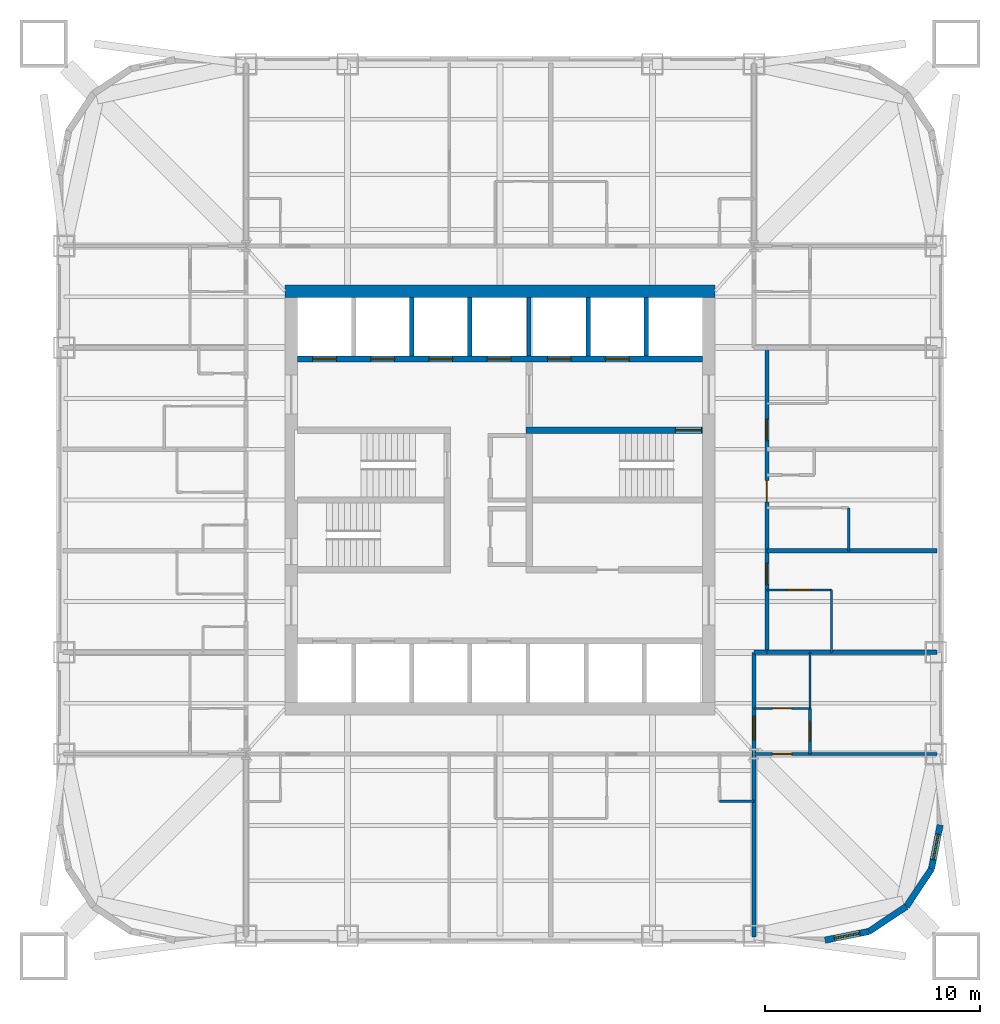
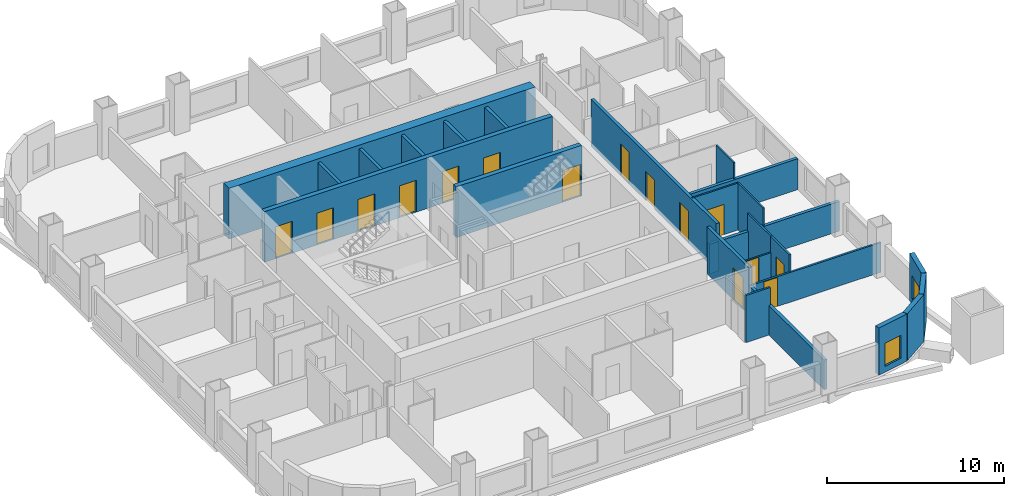
# One storey, part 5 of 8: 26 walls, 15 doors, 2 windows, 17 openings.
"""IFC4 building model written with IfcOpenShell, lengths in metres."""

from ifc_helpers import new_model, si_unit, direction, frame, frame_2d, origin, place, context, subcontext, project, spatial, rectangle, extrude, material, layer, layer_set, type_object, element, fill, save


model = new_model("IFC4")

# Units and contexts
model_context = context("Model", 3, precision=1e-05, world=origin(), true_north=direction((0.0, 1.0)))
body_context = subcontext(model_context, "Body", "Model", "MODEL_VIEW")
ifc_project = project(units=[si_unit("LENGTHUNIT", "METRE"), si_unit("AREAUNIT", "SQUARE_METRE"), si_unit("VOLUMEUNIT", "CUBIC_METRE"), si_unit("PLANEANGLEUNIT", "RADIAN"), si_unit("MASSUNIT", "GRAM", prefix="KILO")], contexts=[model_context])

# Site, building, storey
site_placement = place(None, origin())
site = spatial("IfcSite", under=ifc_project, at=site_placement, CompositionType="ELEMENT")
building_placement = place(site_placement, origin())
building = spatial("IfcBuilding", under=site, at=building_placement, Name="Turquesa Mirador Hotel Tower", CompositionType="ELEMENT")
storey_placement = place(building_placement, frame((0.0, 0.0, 152.89990234375)))
storey = spatial("IfcBuildingStorey", under=building, at=storey_placement, Name="L41", CompositionType="ELEMENT", Elevation=152.89990234375)

# Wall, opening, door
ifc_material_1 = material(Name="Gypsum board on steel studs", Category="steel")
ifc_layer_1 = layer(ifc_material_1, 0.10009765625)
ifc_layer_set_1 = layer_set([ifc_layer_1], Name="BATHROOM WALL 100")
wall_type_1 = type_object("IfcWallType", Name="BATHROOM WALL 100", PredefinedType="PARTITIONING", material=ifc_layer_set_1)
wall_1_placement = place(storey_placement, frame((67.39990234375, 40.820068359375, 0.0), z_axis=(0.0, 0.0, 1.0), x_axis=(1.0, 0.0, 0.0)))
wall_1 = element("IfcWall", 1, at=wall_1_placement, inside=storey, type_object=wall_type_1, Name="Partition L41 011", PredefinedType="PARTITIONING", context=body_context, shape_type="SweptSolid", body=[
    extrude(rectangle(XDim=3.0, YDim=0.10009765625, at=frame_2d((1.5, 0.0))), origin(), (0.0, 0.0, 1.0), 3.25),
])
opening_1_placement = place(wall_1_placement, frame((0.949951171875, 0.0, 0.0)))
opening_1 = element("IfcOpeningElement", 2, at=opening_1_placement, cuts=wall_1, Name="Opening D16", PredefinedType="OPENING", context=body_context, shape_type="SweptSolid", body=[
    extrude(rectangle(XDim=1.10009765625, YDim=2.10009765625, at=frame_2d((0.550048828125, 1.050048828125))), frame((0.0, 0.06005859375, 0.0), z_axis=(0.0, -1.0, 0.0), x_axis=(1.0, 0.0, 0.0)), (0.0, 0.0, 1.0), 0.1201171875),
])
ifc_material_2 = material(Name="Timber veneered sliding door", Category="wood")
door_type_1 = type_object("IfcDoorType", Name="DOOR 1100X2100 ACCESSIBLE EN-SUITE", OperationType="SLIDING_TO_LEFT", PredefinedType="DOOR", material=ifc_material_2)
door_1_placement = place(opening_1_placement, origin())
door_1 = element("IfcDoor", 3, at=door_1_placement, inside=storey, type_object=door_type_1, Name="Door 4105B", OperationType="SLIDING_TO_LEFT", OverallHeight=2.10009765625, OverallWidth=1.10009765625, PredefinedType="DOOR", context=body_context, shape_type="SweptSolid", body=[
    extrude(rectangle(XDim=1.10009765625, YDim=2.10009765625, at=frame_2d((0.550048828125, 1.050048828125))), frame((0.0, 0.02490234375, 0.0), z_axis=(0.0, -1.0, 0.0), x_axis=(1.0, 0.0, 0.0)), (0.0, 0.0, 1.0), 0.050048828125),
])
fill(opening_1, door_1)

wall_2_placement = place(storey_placement, frame((66.800048828125, 35.320068359375, 0.0), z_axis=(0.0, 0.0, 1.0), x_axis=(1.0, 0.0, 0.0)))
wall_2 = element("IfcWall", 4, at=wall_2_placement, inside=storey, type_object=wall_type_1, Name="Partition L41 018", PredefinedType="PARTITIONING", context=body_context, shape_type="SweptSolid", body=[
    extrude(rectangle(XDim=2.599853515625, YDim=0.10009765625, at=frame_2d((1.2998046875, 0.0))), origin(), (0.0, 0.0, 1.0), 2.132568359375),
])
opening_2_placement = place(wall_2_placement, frame((0.85009765625, 0.0, 0.0)))
opening_2 = element("IfcOpeningElement", 5, at=opening_2_placement, cuts=wall_2, Name="Opening D02", PredefinedType="OPENING", context=body_context, shape_type="SweptSolid", body=[
    extrude(rectangle(XDim=0.89990234375, YDim=2.10009765625, at=frame_2d((0.449951171875, 1.050048828125))), frame((0.0, 0.06005859375, 0.0), z_axis=(0.0, -1.0, 0.0), x_axis=(1.0, 0.0, 0.0)), (0.0, 0.0, 1.0), 0.1201171875),
])
ifc_material_3 = material(Name="Timber veneered door", Category="wood")
door_type_2 = type_object("IfcDoorType", Name="DOOR 900X2100 EN-SUITE", OperationType="SINGLE_SWING_RIGHT", PredefinedType="DOOR", material=ifc_material_3)
door_2_placement = place(opening_2_placement, origin())
door_2 = element("IfcDoor", 6, at=door_2_placement, inside=storey, type_object=door_type_2, Name="Door 4114B", OperationType="SINGLE_SWING_RIGHT", OverallHeight=2.10009765625, OverallWidth=0.89990234375, PredefinedType="DOOR", context=body_context, shape_type="SweptSolid", body=[
    extrude(rectangle(XDim=0.89990234375, YDim=2.10009765625, at=frame_2d((0.449951171875, 1.050048828125))), frame((0.0, 0.02490234375, 0.0), z_axis=(0.0, -1.0, 0.0), x_axis=(1.0, 0.0, 0.0)), (0.0, 0.0, 1.0), 0.050048828125),
])
fill(opening_2, door_2)

# Walls
wall_3_placement = place(storey_placement, frame((69.39990234375, 35.320068359375, 0.0), z_axis=(0.0, 0.0, 1.0), x_axis=(0.0, 1.0, 0.0)))
element("IfcWall", 7, at=wall_3_placement, inside=storey, type_object=wall_type_1, Name="Partition L41 063", PredefinedType="PARTITIONING", context=body_context, shape_type="SweptSolid", body=[
    extrude(rectangle(XDim=2.599853515625, YDim=0.10009765625, at=frame_2d((1.2998046875, 0.0))), origin(), (0.0, 0.0, 1.0), 3.25),
])
wall_4_placement = place(storey_placement, frame((70.39990234375, 37.919921875, 0.0), z_axis=(0.0, 0.0, 1.0), x_axis=(0.0, 1.0, 0.0)))
element("IfcWall", 8, at=wall_4_placement, inside=storey, type_object=wall_type_1, Name="Partition L41 069", PredefinedType="PARTITIONING", context=body_context, shape_type="SweptSolid", body=[
    extrude(rectangle(XDim=2.900146484375, YDim=0.10009765625, at=frame_2d((1.4501953125, 0.0))), origin(), (0.0, 0.0, 1.0), 3.25),
])
wall_5_placement = place(storey_placement, frame((71.199951171875, 42.639892578125, 0.0), z_axis=(0.0, 0.0, 1.0), x_axis=(0.0, 1.0, 0.0)))
element("IfcWall", 9, at=wall_5_placement, inside=storey, type_object=wall_type_1, Name="Partition L41 070", PredefinedType="PARTITIONING", context=body_context, shape_type="SweptSolid", body=[
    extrude(rectangle(XDim=2.0, YDim=0.10009765625, at=frame_2d((1.0, 0.0))), origin(), (0.0, 0.0, 1.0), 3.25),
])

# Wall, openings, doors
ifc_material_4 = material(Name="Concrete C50/60", Category="concrete")
ifc_layer_2 = layer(ifc_material_4, 0.300048828125)
ifc_layer_set_2 = layer_set([ifc_layer_2], Name="CORE INNER WALL 300")
wall_type_2 = type_object("IfcWallType", Name="CORE INNER WALL 300", PredefinedType="SHEAR", material=ifc_layer_set_2)
wall_6_placement = place(storey_placement, frame((45.60009765625, 51.550048828125, 0.0), z_axis=(0.0, 0.0, 1.0), x_axis=(1.0, 0.0, 0.0)))
wall_6 = element("IfcWall", 10, at=wall_6_placement, inside=storey, type_object=wall_type_2, Name="Core wall NL", PredefinedType="SHEAR", context=body_context, shape_type="SweptSolid", body=[
    extrude(rectangle(XDim=18.7998046875, YDim=0.300048828125, at=frame_2d((9.39990234375, 0.0))), origin(), (0.0, 0.0, 1.0), 3.5),
])
opening_3_placement = place(wall_6_placement, frame((0.699951171875, 0.0, 0.0)))
opening_3 = element("IfcOpeningElement", 11, at=opening_3_placement, cuts=wall_6, Name="Opening LD", PredefinedType="OPENING", context=body_context, shape_type="SweptSolid", body=[
    extrude(rectangle(XDim=1.10009765625, YDim=2.199951171875, at=frame_2d((0.550048828125, 1.10009765625))), frame((0.0, 0.159912109375, 0.0), z_axis=(0.0, -1.0, 0.0), x_axis=(1.0, 0.0, 0.0)), (0.0, 0.0, 1.0), 0.320068359375),
])
opening_4_placement = place(wall_6_placement, frame((3.39990234375, 0.0, 0.0)))
opening_4 = element("IfcOpeningElement", 12, at=opening_4_placement, cuts=wall_6, Name="Opening LD", PredefinedType="OPENING", context=body_context, shape_type="SweptSolid", body=[
    extrude(rectangle(XDim=1.10009765625, YDim=2.199951171875, at=frame_2d((0.550048828125, 1.10009765625))), frame((0.0, 0.159912109375, 0.0), z_axis=(0.0, -1.0, 0.0), x_axis=(1.0, 0.0, 0.0)), (0.0, 0.0, 1.0), 0.320068359375),
])
opening_5_placement = place(wall_6_placement, frame((6.10009765625, 0.0, 0.0)))
opening_5 = element("IfcOpeningElement", 13, at=opening_5_placement, cuts=wall_6, Name="Opening LD", PredefinedType="OPENING", context=body_context, shape_type="SweptSolid", body=[
    extrude(rectangle(XDim=1.10009765625, YDim=2.199951171875, at=frame_2d((0.550048828125, 1.10009765625))), frame((0.0, 0.159912109375, 0.0), z_axis=(0.0, -1.0, 0.0), x_axis=(1.0, 0.0, 0.0)), (0.0, 0.0, 1.0), 0.320068359375),
])
opening_6_placement = place(wall_6_placement, frame((8.800048828125, 0.0, 0.0)))
opening_6 = element("IfcOpeningElement", 14, at=opening_6_placement, cuts=wall_6, Name="Opening LD", PredefinedType="OPENING", context=body_context, shape_type="SweptSolid", body=[
    extrude(rectangle(XDim=1.10009765625, YDim=2.199951171875, at=frame_2d((0.550048828125, 1.10009765625))), frame((0.0, 0.159912109375, 0.0), z_axis=(0.0, -1.0, 0.0), x_axis=(1.0, 0.0, 0.0)), (0.0, 0.0, 1.0), 0.320068359375),
])
opening_7_placement = place(wall_6_placement, frame((11.60009765625, 0.0, 0.0)))
opening_7 = element("IfcOpeningElement", 15, at=opening_7_placement, cuts=wall_6, Name="Opening LD", PredefinedType="OPENING", context=body_context, shape_type="SweptSolid", body=[
    extrude(rectangle(XDim=1.10009765625, YDim=2.199951171875, at=frame_2d((0.550048828125, 1.10009765625))), frame((0.0, 0.159912109375, 0.0), z_axis=(0.0, -1.0, 0.0), x_axis=(1.0, 0.0, 0.0)), (0.0, 0.0, 1.0), 0.320068359375),
])
opening_8_placement = place(wall_6_placement, frame((14.300048828125, 0.0, 0.0)))
opening_8 = element("IfcOpeningElement", 16, at=opening_8_placement, cuts=wall_6, Name="Opening LD", PredefinedType="OPENING", context=body_context, shape_type="SweptSolid", body=[
    extrude(rectangle(XDim=1.10009765625, YDim=2.199951171875, at=frame_2d((0.550048828125, 1.10009765625))), frame((0.0, 0.159912109375, 0.0), z_axis=(0.0, -1.0, 0.0), x_axis=(1.0, 0.0, 0.0)), (0.0, 0.0, 1.0), 0.320068359375),
])
ifc_material_5 = material(Name="Stainless steel lift landing door", Category="steel")
door_type_3 = type_object("IfcDoorType", Name="LIFT LANDING DOOR 1100X2200", OperationType="SLIDING_TO_LEFT", PredefinedType="DOOR", material=ifc_material_5)
door_3_placement = place(opening_3_placement, origin())
door_3 = element("IfcDoor", 17, at=door_3_placement, inside=storey, type_object=door_type_3, Name="Lift A1 landing door", OperationType="SLIDING_TO_LEFT", OverallHeight=2.199951171875, OverallWidth=1.10009765625, PredefinedType="DOOR", context=body_context, shape_type="SweptSolid", body=[
    extrude(rectangle(XDim=1.10009765625, YDim=2.199951171875, at=frame_2d((0.550048828125, 1.10009765625))), frame((0.0, 0.02490234375, 0.0), z_axis=(0.0, -1.0, 0.0), x_axis=(1.0, 0.0, 0.0)), (0.0, 0.0, 1.0), 0.050048828125),
])
fill(opening_3, door_3)
door_4_placement = place(opening_4_placement, origin())
door_4 = element("IfcDoor", 18, at=door_4_placement, inside=storey, type_object=door_type_3, Name="Lift A2 landing door", OperationType="SLIDING_TO_LEFT", OverallHeight=2.199951171875, OverallWidth=1.10009765625, PredefinedType="DOOR", context=body_context, shape_type="SweptSolid", body=[
    extrude(rectangle(XDim=1.10009765625, YDim=2.199951171875, at=frame_2d((0.550048828125, 1.10009765625))), frame((0.0, 0.02490234375, 0.0), z_axis=(0.0, -1.0, 0.0), x_axis=(1.0, 0.0, 0.0)), (0.0, 0.0, 1.0), 0.050048828125),
])
fill(opening_4, door_4)
door_5_placement = place(opening_5_placement, origin())
door_5 = element("IfcDoor", 19, at=door_5_placement, inside=storey, type_object=door_type_3, Name="Lift A3 landing door", OperationType="SLIDING_TO_LEFT", OverallHeight=2.199951171875, OverallWidth=1.10009765625, PredefinedType="DOOR", context=body_context, shape_type="SweptSolid", body=[
    extrude(rectangle(XDim=1.10009765625, YDim=2.199951171875, at=frame_2d((0.550048828125, 1.10009765625))), frame((0.0, 0.02490234375, 0.0), z_axis=(0.0, -1.0, 0.0), x_axis=(1.0, 0.0, 0.0)), (0.0, 0.0, 1.0), 0.050048828125),
])
fill(opening_5, door_5)
door_6_placement = place(opening_6_placement, origin())
door_6 = element("IfcDoor", 20, at=door_6_placement, inside=storey, type_object=door_type_3, Name="Lift A4 landing door", OperationType="SLIDING_TO_LEFT", OverallHeight=2.199951171875, OverallWidth=1.10009765625, PredefinedType="DOOR", context=body_context, shape_type="SweptSolid", body=[
    extrude(rectangle(XDim=1.10009765625, YDim=2.199951171875, at=frame_2d((0.550048828125, 1.10009765625))), frame((0.0, 0.02490234375, 0.0), z_axis=(0.0, -1.0, 0.0), x_axis=(1.0, 0.0, 0.0)), (0.0, 0.0, 1.0), 0.050048828125),
])
fill(opening_6, door_6)
door_7_placement = place(opening_7_placement, origin())
door_7 = element("IfcDoor", 21, at=door_7_placement, inside=storey, type_object=door_type_3, Name="Lift S1 landing door", OperationType="SLIDING_TO_LEFT", OverallHeight=2.199951171875, OverallWidth=1.10009765625, PredefinedType="DOOR", context=body_context, shape_type="SweptSolid", body=[
    extrude(rectangle(XDim=1.10009765625, YDim=2.199951171875, at=frame_2d((0.550048828125, 1.10009765625))), frame((0.0, 0.02490234375, 0.0), z_axis=(0.0, -1.0, 0.0), x_axis=(1.0, 0.0, 0.0)), (0.0, 0.0, 1.0), 0.050048828125),
])
fill(opening_7, door_7)
door_8_placement = place(opening_8_placement, origin())
door_8 = element("IfcDoor", 22, at=door_8_placement, inside=storey, type_object=door_type_3, Name="Lift S2 landing door", OperationType="SLIDING_TO_LEFT", OverallHeight=2.199951171875, OverallWidth=1.10009765625, PredefinedType="DOOR", context=body_context, shape_type="SweptSolid", body=[
    extrude(rectangle(XDim=1.10009765625, YDim=2.199951171875, at=frame_2d((0.550048828125, 1.10009765625))), frame((0.0, 0.02490234375, 0.0), z_axis=(0.0, -1.0, 0.0), x_axis=(1.0, 0.0, 0.0)), (0.0, 0.0, 1.0), 0.050048828125),
])
fill(opening_8, door_8)

# Wall, opening, door
wall_7_placement = place(storey_placement, frame((56.199951171875, 48.25, 0.0), z_axis=(0.0, 0.0, 1.0), x_axis=(1.0, 0.0, 0.0)))
wall_7 = element("IfcWall", 23, at=wall_7_placement, inside=storey, type_object=wall_type_2, Name="Core wall MN-E", PredefinedType="SHEAR", context=body_context, shape_type="SweptSolid", body=[
    extrude(rectangle(XDim=8.199951171875, YDim=0.300048828125, at=frame_2d((4.10009765625, 0.0))), origin(), (0.0, 0.0, 1.0), 3.5),
])
opening_9_placement = place(wall_7_placement, frame((6.949951171875, 0.0, 0.0)))
opening_9 = element("IfcOpeningElement", 24, at=opening_9_placement, cuts=wall_7, Name="Opening D03", PredefinedType="OPENING", context=body_context, shape_type="SweptSolid", body=[
    extrude(rectangle(XDim=1.199951171875, YDim=2.199951171875, at=frame_2d((0.60009765625, 1.10009765625))), frame((0.0, 0.159912109375, 0.0), z_axis=(0.0, -1.0, 0.0), x_axis=(1.0, 0.0, 0.0)), (0.0, 0.0, 1.0), 0.320068359375),
])
ifc_material_6 = material(Name="Steel fire door", Category="steel")
door_type_4 = type_object("IfcDoorType", Name="DOOR 1200X2200 STAIR", OperationType="SINGLE_SWING_LEFT", PredefinedType="DOOR", material=ifc_material_6)
door_9_placement = place(opening_9_placement, origin())
door_9 = element("IfcDoor", 25, at=door_9_placement, inside=storey, type_object=door_type_4, Name="Stair ST3 door", OperationType="SINGLE_SWING_LEFT", OverallHeight=2.199951171875, OverallWidth=1.199951171875, PredefinedType="DOOR", context=body_context, shape_type="SweptSolid", body=[
    extrude(rectangle(XDim=1.199951171875, YDim=2.199951171875, at=frame_2d((0.60009765625, 1.10009765625))), frame((0.0, 0.02490234375, 0.0), z_axis=(0.0, -1.0, 0.0), x_axis=(1.0, 0.0, 0.0)), (0.0, 0.0, 1.0), 0.050048828125),
])
fill(opening_9, door_9)

# Walls
ifc_material_7 = material(Name="Concrete C50/60", Category="concrete")
ifc_layer_3 = layer(ifc_material_7, 0.60009765625)
ifc_layer_set_3 = layer_set([ifc_layer_3], Name="CORE WALL 600")
wall_type_3 = type_object("IfcWallType", Name="CORE WALL 600", PredefinedType="SHEAR", material=ifc_layer_set_3)
wall_8_placement = place(storey_placement, frame((45.0, 54.699951171875, 0.0), z_axis=(0.0, 0.0, 1.0), x_axis=(1.0, 0.0, 0.0)))
element("IfcWall", 26, at=wall_8_placement, inside=storey, type_object=wall_type_3, Name="Core wall N", PredefinedType="SHEAR", context=body_context, shape_type="SweptSolid", body=[
    extrude(rectangle(XDim=20.0, YDim=0.60009765625, at=frame_2d((10.0, 0.0))), origin(), (0.0, 0.0, 1.0), 3.5),
])
ifc_material_8 = material(Name="Fire-rated gypsum board on steel studs", Category="steel")
ifc_layer_4 = layer(ifc_material_8, 0.199951171875)
ifc_layer_set_4 = layer_set([ifc_layer_4], Name="CORRIDOR WALL 200")
wall_type_4 = type_object("IfcWallType", Name="CORRIDOR WALL 200", PredefinedType="PARTITIONING", material=ifc_layer_set_4)
wall_9_placement = place(storey_placement, frame((66.800048828125, 37.919921875, 0.0), z_axis=(0.0, 0.0, 1.0), x_axis=(1.0, 0.0, 0.0)))
element("IfcWall", 27, at=wall_9_placement, inside=storey, type_object=wall_type_4, Name="Partition L41 014", PredefinedType="PARTITIONING", context=body_context, shape_type="SweptSolid", body=[
    extrude(rectangle(XDim=0.599853515625, YDim=0.199951171875, at=frame_2d((0.2998046875, 0.0))), origin(), (0.0, 0.0, 1.0), 2.050048828125),
])

# Wall, opening, door
wall_10_placement = place(storey_placement, frame((66.800048828125, 33.199951171875, 0.0), z_axis=(0.0, 0.0, 1.0), x_axis=(0.0, 1.0, 0.0)))
wall_10 = element("IfcWall", 28, at=wall_10_placement, inside=storey, type_object=wall_type_4, Name="Partition L41 058", PredefinedType="PARTITIONING", context=body_context, shape_type="SweptSolid", body=[
    extrude(rectangle(XDim=4.719970703125, YDim=0.199951171875, at=frame_2d((2.35986328125, 0.0))), origin(), (0.0, 0.0, 1.0), 3.25),
])
opening_10_placement = place(wall_10_placement, frame((0.659912109375, 0.0, 0.0)))
opening_10 = element("IfcOpeningElement", 29, at=opening_10_placement, cuts=wall_10, Name="Opening D15", PredefinedType="OPENING", context=body_context, shape_type="SweptSolid", body=[
    extrude(rectangle(XDim=1.10009765625, YDim=2.199951171875, at=frame_2d((0.550048828125, 1.10009765625))), frame((0.0, 0.10986328125, 0.0), z_axis=(0.0, -1.0, 0.0), x_axis=(1.0, 0.0, 0.0)), (0.0, 0.0, 1.0), 0.219970703125),
])
ifc_material_9 = material(Name="Timber veneered fire door", Category="wood")
door_type_5 = type_object("IfcDoorType", Name="DOOR 1100X2200 SUITE ENTRY", OperationType="SINGLE_SWING_LEFT", PredefinedType="DOOR", material=ifc_material_9)
door_10_placement = place(opening_10_placement, origin())
door_10 = element("IfcDoor", 30, at=door_10_placement, inside=storey, type_object=door_type_5, Name="Door 4114H", OperationType="SINGLE_SWING_LEFT", OverallHeight=2.199951171875, OverallWidth=1.10009765625, PredefinedType="DOOR", context=body_context, shape_type="SweptSolid", body=[
    extrude(rectangle(XDim=1.10009765625, YDim=2.199951171875, at=frame_2d((0.550048828125, 1.10009765625))), frame((0.0, 0.02490234375, 0.0), z_axis=(0.0, -1.0, 0.0), x_axis=(1.0, 0.0, 0.0)), (0.0, 0.0, 1.0), 0.050048828125),
])
fill(opening_10, door_10)

# Wall, openings, doors
wall_11_placement = place(storey_placement, frame((67.39990234375, 37.919921875, 0.0), z_axis=(0.0, 0.0, 1.0), x_axis=(0.0, 1.0, 0.0)))
wall_11 = element("IfcWall", 31, at=wall_11_placement, inside=storey, type_object=wall_type_4, Name="Partition L41 062", PredefinedType="PARTITIONING", context=body_context, shape_type="SweptSolid", body=[
    extrude(rectangle(XDim=14.16015625, YDim=0.199951171875, at=frame_2d((7.080078125, 0.0))), origin(), (0.0, 0.0, 1.0), 3.25),
])
opening_11_placement = place(wall_11_placement, frame((3.14990234375, 0.0, 0.0)))
opening_11 = element("IfcOpeningElement", 32, at=opening_11_placement, cuts=wall_11, Name="Opening D01", PredefinedType="OPENING", context=body_context, shape_type="SweptSolid", body=[
    extrude(rectangle(XDim=1.0, YDim=2.199951171875, at=frame_2d((0.5, 1.10009765625))), frame((0.0, 0.10986328125, 0.0), z_axis=(0.0, -1.0, 0.0), x_axis=(1.0, 0.0, 0.0)), (0.0, 0.0, 1.0), 0.219970703125),
])
opening_12_placement = place(wall_11_placement, frame((6.97998046875, 0.0, 0.0)))
opening_12 = element("IfcOpeningElement", 33, at=opening_12_placement, cuts=wall_11, Name="Opening D22", PredefinedType="OPENING", context=body_context, shape_type="SweptSolid", body=[
    extrude(rectangle(XDim=1.0, YDim=2.0, at=frame_2d((0.5, 1.0))), frame((0.0, 0.10986328125, 0.0), z_axis=(0.0, -1.0, 0.0), x_axis=(1.0, 0.0, 0.0)), (0.0, 0.0, 1.0), 0.219970703125),
])
opening_13_placement = place(wall_11_placement, frame((9.840087890625, 0.0, 0.0)))
opening_13 = element("IfcOpeningElement", 34, at=opening_13_placement, cuts=wall_11, Name="Opening D01", PredefinedType="OPENING", context=body_context, shape_type="SweptSolid", body=[
    extrude(rectangle(XDim=1.0, YDim=2.199951171875, at=frame_2d((0.5, 1.10009765625))), frame((0.0, 0.10986328125, 0.0), z_axis=(0.0, -1.0, 0.0), x_axis=(1.0, 0.0, 0.0)), (0.0, 0.0, 1.0), 0.219970703125),
])
ifc_material_10 = material(Name="Timber veneered fire door", Category="wood")
door_type_6 = type_object("IfcDoorType", Name="DOOR 1000X2000 GUEST ENTRY", OperationType="SINGLE_SWING_LEFT", PredefinedType="DOOR", material=ifc_material_10)
door_11_placement = place(opening_12_placement, origin())
door_11 = element("IfcDoor", 35, at=door_11_placement, inside=storey, type_object=door_type_6, Name="Door 4106", OperationType="SINGLE_SWING_LEFT", OverallHeight=2.0, OverallWidth=1.0, PredefinedType="DOOR", context=body_context, shape_type="SweptSolid", body=[
    extrude(rectangle(XDim=1.0, YDim=2.0, at=frame_2d((0.5, 1.0))), frame((0.0, 0.02490234375, 0.0), z_axis=(0.0, -1.0, 0.0), x_axis=(1.0, 0.0, 0.0)), (0.0, 0.0, 1.0), 0.050048828125),
])
fill(opening_12, door_11)
ifc_material_11 = material(Name="Timber veneered fire door", Category="wood")
door_type_7 = type_object("IfcDoorType", Name="DOOR 1000X2200 GUEST ENTRY", OperationType="SINGLE_SWING_LEFT", PredefinedType="DOOR", material=ifc_material_11)
door_12_placement = place(opening_11_placement, origin())
door_12 = element("IfcDoor", 36, at=door_12_placement, inside=storey, type_object=door_type_7, Name="Door 4105", OperationType="SINGLE_SWING_LEFT", OverallHeight=2.199951171875, OverallWidth=1.0, PredefinedType="DOOR", context=body_context, shape_type="SweptSolid", body=[
    extrude(rectangle(XDim=1.0, YDim=2.199951171875, at=frame_2d((0.5, 1.10009765625))), frame((0.0, 0.02490234375, 0.0), z_axis=(0.0, -1.0, 0.0), x_axis=(1.0, 0.0, 0.0)), (0.0, 0.0, 1.0), 0.050048828125),
])
fill(opening_11, door_12)
door_13_placement = place(opening_13_placement, origin())
door_13 = element("IfcDoor", 37, at=door_13_placement, inside=storey, type_object=door_type_7, Name="Door 4107", OperationType="SINGLE_SWING_LEFT", OverallHeight=2.199951171875, OverallWidth=1.0, PredefinedType="DOOR", context=body_context, shape_type="SweptSolid", body=[
    extrude(rectangle(XDim=1.0, YDim=2.199951171875, at=frame_2d((0.5, 1.10009765625))), frame((0.0, 0.02490234375, 0.0), z_axis=(0.0, -1.0, 0.0), x_axis=(1.0, 0.0, 0.0)), (0.0, 0.0, 1.0), 0.050048828125),
])
fill(opening_13, door_13)

# Wall, opening, window
ifc_material_12 = material(Name="Limestone cladding on concrete block", Category="masonry")
ifc_layer_5 = layer(ifc_material_12, 0.300048828125)
ifc_layer_set_5 = layer_set([ifc_layer_5], Name="FACADE WALL 300 STONE SCREEN")
wall_type_5 = type_object("IfcWallType", Name="FACADE WALL 300 STONE SCREEN", PredefinedType="SOLIDWALL", material=ifc_layer_set_5)
wall_12_placement = place(storey_placement, frame((70.10009765625, 24.550048828125, 0.0), z_axis=(0.0, 0.0, 1.0), x_axis=(0.980787050784, 0.195081421501, 0.0)))
wall_12 = element("IfcWall", 38, at=wall_12_placement, inside=storey, type_object=wall_type_5, Name="Facade wall L41 00", PredefinedType="SOLIDWALL", context=body_context, shape_type="SweptSolid", body=[
    extrude(rectangle(XDim=2.08740234375, YDim=0.300048828125, at=frame_2d((1.043701171875, 0.0))), origin(), (0.0, 0.0, 1.0), 3.25),
])
opening_14_placement = place(wall_12_placement, frame((0.443603515625, 0.0, 0.39990234375)))
opening_14 = element("IfcOpeningElement", 39, at=opening_14_placement, cuts=wall_12, Name="Opening WN8", PredefinedType="OPENING", context=body_context, shape_type="SweptSolid", body=[
    extrude(rectangle(XDim=1.199951171875, YDim=1.60009765625, at=frame_2d((0.60009765625, 0.800048828125))), frame((0.0, 0.159912109375, 0.0), z_axis=(0.0, -1.0, 0.0), x_axis=(1.0, 0.0, 0.0)), (0.0, 0.0, 1.0), 0.320068359375),
])
ifc_material_13 = material(Name="Ceramic-fritted laminated glass", Category="glass")
window_type = type_object("IfcWindowType", Name="FRITTED CORNER WINDOW 1200X1600", PartitioningType="DOUBLE_PANEL_HORIZONTAL", PredefinedType="WINDOW", material=ifc_material_13)
window_1_placement = place(opening_14_placement, origin())
window_1 = element("IfcWindow", 40, at=window_1_placement, inside=storey, type_object=window_type, Name="Window L41", OverallHeight=1.60009765625, OverallWidth=1.199951171875, PartitioningType="SINGLE_PANEL", PredefinedType="WINDOW", context=body_context, shape_type="SweptSolid", body=[
    extrude(rectangle(XDim=1.199951171875, YDim=1.60009765625, at=frame_2d((0.60009765625, 0.800048828125))), frame((0.0, 0.030029296875, 0.0), z_axis=(0.0, -1.0, 0.0), x_axis=(1.0, 0.0, 0.0)), (0.0, 0.0, 1.0), 0.06005859375),
])
fill(opening_14, window_1)

# Walls
for number, where, z_axis, x_axis, name in (
    (41, (72.1474609375, 24.957275390625, 0.0), (0.0, 0.0, 1.0), (0.831474039234, 0.555563607591, 0.0), "Facade wall L41 01"),
    (42, (73.883056640625, 26.116943359375, 0.0), (0.0, 0.0, 1.0), (0.555563607591, 0.831474039234, 0.0), "Facade wall L41 02"),
):
    element("IfcWall", number, at=place(storey_placement, frame(where, z_axis=z_axis, x_axis=x_axis)), inside=storey, type_object=wall_type_5, Name=name, PredefinedType="SOLIDWALL", context=body_context, shape_type="SweptSolid", body=[
        extrude(rectangle(XDim=2.08740234375, YDim=0.300048828125, at=frame_2d((1.043701171875, 0.0))), origin(), (0.0, 0.0, 1.0), 3.25),
    ])

# Wall, opening, window
wall_13_placement = place(storey_placement, frame((75.042724609375, 27.8525390625, 0.0), z_axis=(0.0, 0.0, 1.0), x_axis=(0.195081421501, 0.980787050784, 0.0)))
wall_13 = element("IfcWall", 43, at=wall_13_placement, inside=storey, type_object=wall_type_5, Name="Facade wall L41 03", PredefinedType="SOLIDWALL", context=body_context, shape_type="SweptSolid", body=[
    extrude(rectangle(XDim=2.08740234375, YDim=0.300048828125, at=frame_2d((1.043701171875, 0.0))), origin(), (0.0, 0.0, 1.0), 3.25),
])
opening_15_placement = place(wall_13_placement, frame((0.443603515625, 0.0, 0.39990234375)))
opening_15 = element("IfcOpeningElement", 44, at=opening_15_placement, cuts=wall_13, Name="Opening WN8", PredefinedType="OPENING", context=body_context, shape_type="SweptSolid", body=[
    extrude(rectangle(XDim=1.199951171875, YDim=1.60009765625, at=frame_2d((0.60009765625, 0.800048828125))), frame((0.0, 0.159912109375, 0.0), z_axis=(0.0, -1.0, 0.0), x_axis=(1.0, 0.0, 0.0)), (0.0, 0.0, 1.0), 0.320068359375),
])
window_2_placement = place(opening_15_placement, origin())
window_2 = element("IfcWindow", 45, at=window_2_placement, inside=storey, type_object=window_type, Name="Window L41", OverallHeight=1.60009765625, OverallWidth=1.199951171875, PartitioningType="SINGLE_PANEL", PredefinedType="WINDOW", context=body_context, shape_type="SweptSolid", body=[
    extrude(rectangle(XDim=1.199951171875, YDim=1.60009765625, at=frame_2d((0.60009765625, 0.800048828125))), frame((0.0, 0.030029296875, 0.0), z_axis=(0.0, -1.0, 0.0), x_axis=(1.0, 0.0, 0.0)), (0.0, 0.0, 1.0), 0.06005859375),
])
fill(opening_15, window_2)

# Walls
ifc_material_14 = material(Name="Fire-rated gypsum shaft wall on steel studs", Category="steel")
ifc_layer_6 = layer(ifc_material_14, 0.199951171875)
ifc_layer_set_6 = layer_set([ifc_layer_6], Name="LIFT SHAFT DIVIDER 200")
wall_type_6 = type_object("IfcWallType", Name="LIFT SHAFT DIVIDER 200", PredefinedType="PARTITIONING", material=ifc_layer_set_6)
for number, where, z_axis, x_axis, name in (
    (46, (50.89990234375, 51.699951171875, 0.0), (0.0, 0.0, 1.0), (0.0, 1.0, 0.0), "Lift shaft divider"),
    (47, (53.60009765625, 51.699951171875, 0.0), (0.0, 0.0, 1.0), (0.0, 1.0, 0.0), "Lift shaft divider"),
    (48, (59.10009765625, 51.699951171875, 0.0), (0.0, 0.0, 1.0), (0.0, 1.0, 0.0), "Lift shaft divider"),
    (49, (61.800048828125, 51.699951171875, 0.0), (0.0, 0.0, 1.0), (0.0, 1.0, 0.0), "Lift shaft divider"),
    (50, (56.35009765625, 51.699951171875, 0.0), (0.0, 0.0, 1.0), (0.0, 1.0, 0.0), "Lift shaft divider"),
):
    element("IfcWall", number, at=place(storey_placement, frame(where, z_axis=z_axis, x_axis=x_axis)), inside=storey, type_object=wall_type_6, Name=name, PredefinedType="PARTITIONING", context=body_context, shape_type="SweptSolid", body=[
        extrude(rectangle(XDim=2.699951171875, YDim=0.199951171875, at=frame_2d((1.35009765625, 0.0))), origin(), (0.0, 0.0, 1.0), 3.25),
    ])
ifc_material_15 = material(Name="Fire-rated gypsum board on steel studs", Category="steel")
ifc_layer_7 = layer(ifc_material_15, 0.199951171875)
ifc_layer_set_7 = layer_set([ifc_layer_7], Name="PARTY WALL 200")
wall_type_7 = type_object("IfcWallType", Name="PARTY WALL 200", PredefinedType="PARTITIONING", material=ifc_layer_set_7)
wall_14_placement = place(storey_placement, frame((67.39990234375, 42.639892578125, 0.0), z_axis=(0.0, 0.0, 1.0), x_axis=(1.0, 0.0, 0.0)))
element("IfcWall", 51, at=wall_14_placement, inside=storey, type_object=wall_type_7, Name="Partition L41 010", PredefinedType="PARTITIONING", context=body_context, shape_type="SweptSolid", body=[
    extrude(rectangle(XDim=7.900146484375, YDim=0.199951171875, at=frame_2d((3.9501953125, 0.0))), origin(), (0.0, 0.0, 1.0), 2.132568359375),
])
wall_15_placement = place(storey_placement, frame((67.39990234375, 37.919921875, 0.0), z_axis=(0.0, 0.0, 1.0), x_axis=(1.0, 0.0, 0.0)))
element("IfcWall", 52, at=wall_15_placement, inside=storey, type_object=wall_type_7, Name="Partition L41 016", PredefinedType="PARTITIONING", context=body_context, shape_type="SweptSolid", body=[
    extrude(rectangle(XDim=7.900146484375, YDim=0.199951171875, at=frame_2d((3.9501953125, 0.0))), origin(), (0.0, 0.0, 1.0), 2.050048828125),
])
wall_16_placement = place(storey_placement, frame((66.800048828125, 24.699951171875, 0.0), z_axis=(0.0, 0.0, 1.0), x_axis=(0.0, 1.0, 0.0)))
element("IfcWall", 53, at=wall_16_placement, inside=storey, type_object=wall_type_7, Name="Partition L41 060", PredefinedType="PARTITIONING", context=body_context, shape_type="SweptSolid", body=[
    extrude(rectangle(XDim=8.5, YDim=0.199951171875, at=frame_2d((4.25, 0.0))), origin(), (0.0, 0.0, 1.0), 2.050048828125),
])

# Wall, opening, door
ifc_material_16 = material(Name="Acoustic gypsum board on steel studs", Category="steel")
ifc_layer_8 = layer(ifc_material_16, 0.125)
ifc_layer_set_8 = layer_set([ifc_layer_8], Name="SUITE PARTITION 125")
wall_type_8 = type_object("IfcWallType", Name="SUITE PARTITION 125", PredefinedType="PARTITIONING", material=ifc_layer_set_8)
wall_17_placement = place(storey_placement, frame((66.800048828125, 33.199951171875, 0.0), z_axis=(0.0, 0.0, 1.0), x_axis=(1.0, 0.0, 0.0)))
wall_17 = element("IfcWall", 54, at=wall_17_placement, inside=storey, type_object=wall_type_8, Name="Partition L41 005", PredefinedType="PARTITIONING", context=body_context, shape_type="SweptSolid", body=[
    extrude(rectangle(XDim=8.5, YDim=0.125, at=frame_2d((4.25, 0.0))), origin(), (0.0, 0.0, 1.0), 2.050048828125),
])
opening_16_placement = place(wall_17_placement, frame((0.85009765625, 0.0, 0.0)))
opening_16 = element("IfcOpeningElement", 55, at=opening_16_placement, cuts=wall_17, Name="Opening D24", PredefinedType="OPENING", context=body_context, shape_type="SweptSolid", body=[
    extrude(rectangle(XDim=0.89990234375, YDim=2.0, at=frame_2d((0.449951171875, 1.0))), frame((0.0, 0.072509765625, 0.0), z_axis=(0.0, -1.0, 0.0), x_axis=(1.0, 0.0, 0.0)), (0.0, 0.0, 1.0), 0.14501953125),
])
ifc_material_17 = material(Name="Timber veneered door", Category="wood")
door_type_8 = type_object("IfcDoorType", Name="DOOR 900X2000 SUITE INTERNAL", OperationType="SINGLE_SWING_LEFT", PredefinedType="DOOR", material=ifc_material_17)
door_14_placement = place(opening_16_placement, origin())
door_14 = element("IfcDoor", 56, at=door_14_placement, inside=storey, type_object=door_type_8, Name="Door 4114", OperationType="SINGLE_SWING_LEFT", OverallHeight=2.0, OverallWidth=0.89990234375, PredefinedType="DOOR", context=body_context, shape_type="SweptSolid", body=[
    extrude(rectangle(XDim=0.89990234375, YDim=2.0, at=frame_2d((0.449951171875, 1.0))), frame((0.0, 0.02490234375, 0.0), z_axis=(0.0, -1.0, 0.0), x_axis=(1.0, 0.0, 0.0)), (0.0, 0.0, 1.0), 0.050048828125),
])
fill(opening_16, door_14)

# Wall
wall_18_placement = place(storey_placement, frame((65.199951171875, 31.0, 0.0), z_axis=(0.0, 0.0, 1.0), x_axis=(1.0, 0.0, 0.0)))
element("IfcWall", 57, at=wall_18_placement, inside=storey, type_object=wall_type_8, Name="Partition L41 007", PredefinedType="PARTITIONING", context=body_context, shape_type="SweptSolid", body=[
    extrude(rectangle(XDim=1.60009765625, YDim=0.125, at=frame_2d((0.800048828125, 0.0))), origin(), (0.0, 0.0, 1.0), 3.25),
])

# Wall, opening, door
wall_19_placement = place(storey_placement, frame((69.39990234375, 33.199951171875, 0.0), z_axis=(0.0, 0.0, 1.0), x_axis=(0.0, 1.0, 0.0)))
wall_19 = element("IfcWall", 58, at=wall_19_placement, inside=storey, type_object=wall_type_8, Name="Partition L41 065", PredefinedType="PARTITIONING", context=body_context, shape_type="SweptSolid", body=[
    extrude(rectangle(XDim=2.1201171875, YDim=0.125, at=frame_2d((1.06005859375, 0.0))), origin(), (0.0, 0.0, 1.0), 3.25),
])
opening_17_placement = place(wall_19_placement, frame((0.610107421875, 0.0, 0.0)))
opening_17 = element("IfcOpeningElement", 59, at=opening_17_placement, cuts=wall_19, Name="Opening D17", PredefinedType="OPENING", context=body_context, shape_type="SweptSolid", body=[
    extrude(rectangle(XDim=0.89990234375, YDim=2.199951171875, at=frame_2d((0.449951171875, 1.10009765625))), frame((0.0, 0.072509765625, 0.0), z_axis=(0.0, -1.0, 0.0), x_axis=(1.0, 0.0, 0.0)), (0.0, 0.0, 1.0), 0.14501953125),
])
ifc_material_18 = material(Name="Timber veneered door", Category="wood")
door_type_9 = type_object("IfcDoorType", Name="DOOR 900X2200 SUITE INTERNAL", OperationType="SINGLE_SWING_LEFT", PredefinedType="DOOR", material=ifc_material_18)
door_15_placement = place(opening_17_placement, origin())
door_15 = element("IfcDoor", 60, at=door_15_placement, inside=storey, type_object=door_type_9, Name="Door 4114R", OperationType="SINGLE_SWING_LEFT", OverallHeight=2.199951171875, OverallWidth=0.89990234375, PredefinedType="DOOR", context=body_context, shape_type="SweptSolid", body=[
    extrude(rectangle(XDim=0.89990234375, YDim=2.199951171875, at=frame_2d((0.449951171875, 1.10009765625))), frame((0.0, 0.02490234375, 0.0), z_axis=(0.0, -1.0, 0.0), x_axis=(1.0, 0.0, 0.0)), (0.0, 0.0, 1.0), 0.050048828125),
])
fill(opening_17, door_15)

save(model, "model.ifc")
